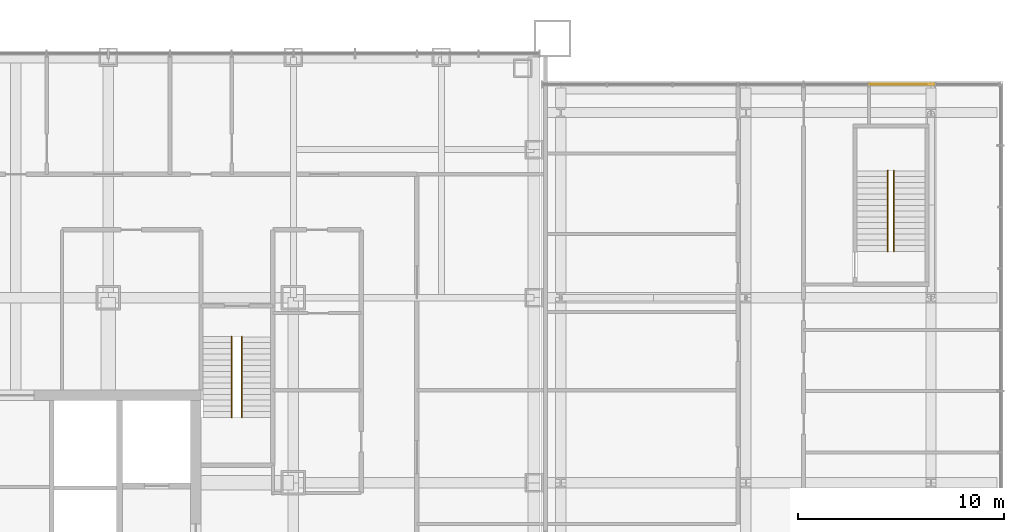
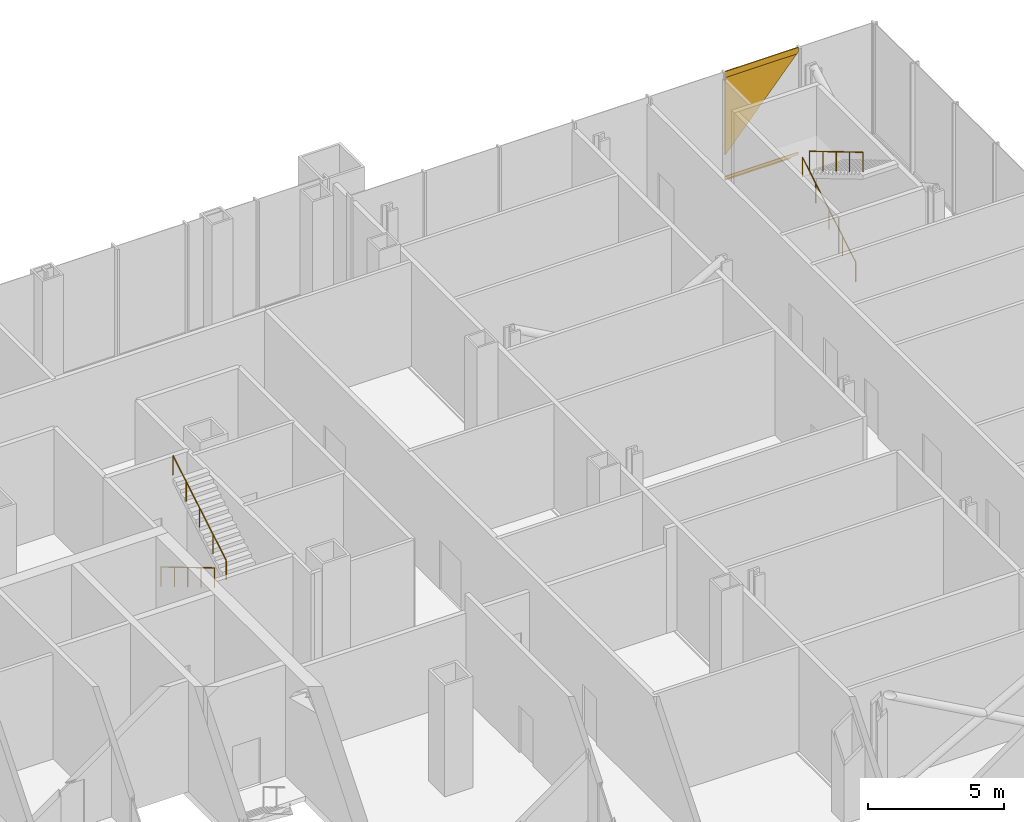
# One storey, part 23 of 25: 4 coverings, 4 railings.
"""IFC4 building model written with IfcOpenShell, lengths in metres."""

from ifc_helpers import new_model, si_unit, direction, frame, origin, origin_2d, place, context, subcontext, project, spatial, polyline, circle, outline, extrude, material, layer, layer_set, type_object, element, save


model = new_model("IFC4")

# Units and contexts
model_context = context("Model", 3, precision=1e-05, world=origin(), true_north=direction((0.0, 1.0)))
body_context = subcontext(model_context, "Body", "Model", "MODEL_VIEW")
ifc_project = project(units=[si_unit("LENGTHUNIT", "METRE"), si_unit("AREAUNIT", "SQUARE_METRE"), si_unit("VOLUMEUNIT", "CUBIC_METRE"), si_unit("PLANEANGLEUNIT", "RADIAN"), si_unit("MASSUNIT", "GRAM", prefix="KILO")], contexts=[model_context])

# Site, building, storey
site_placement = place(None, origin())
site = spatial("IfcSite", under=ifc_project, at=site_placement, CompositionType="ELEMENT")
building_placement = place(site_placement, origin())
building = spatial("IfcBuilding", under=site, at=building_placement, Name="Malebo Sky Hospital", CompositionType="ELEMENT")
storey_placement = place(building_placement, frame((0.0, 0.0, 6.0)))
storey = spatial("IfcBuildingStorey", under=building, at=storey_placement, Name="L01", CompositionType="ELEMENT", Elevation=6.0)

# Coverings
ifc_material_1 = material(Name="Anodised aluminium, natural silver insulated infill panel", Category="aluminium")
ifc_layer = layer(ifc_material_1, 0.0400390625)
ifc_layer_set = layer_set([ifc_layer], Name="BRACE INFILL PANEL 40")
covering_type = type_object("IfcCoveringType", Name="BRACE INFILL PANEL 40", PredefinedType="CLADDING", material=ifc_layer_set)
covering_1_placement = place(storey_placement, frame((103.05615234375, 85.875, 1.23681640625), z_axis=(0.0, 0.0, 1.0), x_axis=(-1.0, 0.0, 0.0)))
element("IfcCovering", 1, at=covering_1_placement, inside=storey, type_object=covering_type, Name="Brace infill panel 2.1", PredefinedType="CLADDING", context=body_context, shape_type="SweptSolid", body=[
    extrude(outline(polyline([(1.5224609375, 0.0), (1.5224609375, 3.483154296875), (-1.5224609375, 3.483154296875), (1.5224609375, 0.0)])), frame((0.0, 0.02001953125, 0.0), z_axis=(0.0, -1.0, 0.0), x_axis=(1.0, 0.0, 0.0)), (0.0, 0.0, 1.0), 0.0400390625),
])
covering_2_placement = place(storey_placement, frame((102.92333984375, 85.875, 0.10009765625), z_axis=(0.0, 0.0, 1.0), x_axis=(-1.0, 0.0, 0.0)))
element("IfcCovering", 2, at=covering_2_placement, inside=storey, type_object=covering_type, Name="Brace infill panel 2.3", PredefinedType="CLADDING", context=body_context, shape_type="SweptSolid", body=[
    extrude(outline(polyline([(-1.389404296875, 0.0), (1.389404296875, 0.0), (1.389404296875, 0.060302734375), (-1.389404296875, 0.060302734375), (-1.389404296875, 0.0)])), frame((0.0, 0.02001953125, 0.0), z_axis=(0.0, -1.0, 0.0), x_axis=(1.0, 0.0, 0.0)), (0.0, 0.0, 1.0), 0.0400390625),
])
covering_3_placement = place(storey_placement, frame((103.091064453125, 85.875, 0.16015625), z_axis=(0.0, 0.0, 1.0), x_axis=(-1.0, 0.0, 0.0)))
element("IfcCovering", 3, at=covering_3_placement, inside=storey, type_object=covering_type, Name="Brace infill panel 2.4", PredefinedType="CLADDING", context=body_context, shape_type="SweptSolid", body=[
    extrude(outline(polyline([(-1.55712890625, 0.0), (1.55712890625, 0.0), (1.55712890625, 0.119873046875), (-1.55712890625, 0.119873046875), (-1.55712890625, 0.0)])), frame((0.0, 0.02001953125, 0.0), z_axis=(0.0, -1.0, 0.0), x_axis=(1.0, 0.0, 0.0)), (0.0, 0.0, 1.0), 0.0400390625),
])
covering_4_placement = place(storey_placement, frame((103.091064453125, 85.875, 4.7197265625), z_axis=(0.0, 0.0, 1.0), x_axis=(-1.0, 0.0, 0.0)))
element("IfcCovering", 4, at=covering_4_placement, inside=storey, type_object=covering_type, Name="Brace infill panel 2.5", PredefinedType="CLADDING", context=body_context, shape_type="SweptSolid", body=[
    extrude(outline(polyline([(-1.487548828125, 0.0), (1.55712890625, 0.0), (1.55712890625, 0.270263671875), (-1.55712890625, 0.270263671875), (-1.55712890625, 0.07958984375), (-1.487548828125, 0.0)])), frame((0.0, 0.02001953125, 0.0), z_axis=(0.0, -1.0, 0.0), x_axis=(1.0, 0.0, 0.0)), (0.0, 0.0, 1.0), 0.0400390625),
])

# Railings
ifc_material_2 = material(Name="Stainless steel tube", Category="steel")
railing_type = type_object("IfcRailingType", Name="STAIR HANDRAIL 900", PredefinedType="HANDRAIL", material=ifc_material_2)
railing_1_placement = place(storey_placement, frame((70.5, 73.60009765625, 0.166748046875)))
element("IfcRailing", 5, at=railing_1_placement, inside=storey, type_object=railing_type, Name="Stair handrail S3 flight 1", PredefinedType="HANDRAIL", context=body_context, shape_type="SweptSolid", body=[
    extrude(circle(Radius=0.02392578125, at=origin_2d()), frame((0.0, 0.0, 0.8759765625), z_axis=(0.0, -0.859310244771, 0.511454693235), x_axis=(1.0, 0.0, 0.0)), (0.0, 0.0, 1.0), 4.56201171875),
    extrude(circle(Radius=0.02099609375, at=origin_2d()), origin(), (0.0, 0.0, 1.0), 0.851806640625),
    extrude(circle(Radius=0.02099609375, at=origin_2d()), frame((0.0, -0.97998046875, 0.583251953125)), (0.0, 0.0, 1.0), 0.851806640625),
    extrude(circle(Radius=0.02099609375, at=origin_2d()), frame((0.0, -1.9599609375, 1.16650390625)), (0.0, 0.0, 1.0), 0.851806640625),
    extrude(circle(Radius=0.02099609375, at=origin_2d()), frame((0.0, -2.940185546875, 1.75)), (0.0, 0.0, 1.0), 0.851806640625),
    extrude(circle(Radius=0.02099609375, at=origin_2d()), frame((0.0, -3.920166015625, 2.333251953125)), (0.0, 0.0, 1.0), 0.851806640625),
])
railing_2_placement = place(storey_placement, frame((71.0, 69.679931640625, 2.666748046875)))
element("IfcRailing", 6, at=railing_2_placement, inside=storey, type_object=railing_type, Name="Stair handrail S3 flight 2", PredefinedType="HANDRAIL", context=body_context, shape_type="SweptSolid", body=[
    extrude(circle(Radius=0.02392578125, at=origin_2d()), frame((0.0, 0.0, 0.8759765625), z_axis=(0.0, 0.859310244771, 0.511454693235), x_axis=(-1.0, 0.0, 0.0)), (0.0, 0.0, 1.0), 4.56201171875),
    extrude(circle(Radius=0.02099609375, at=origin_2d()), origin(), (0.0, 0.0, 1.0), 0.851806640625),
    extrude(circle(Radius=0.02099609375, at=origin_2d()), frame((0.0, 0.97998046875, 0.583251953125)), (0.0, 0.0, 1.0), 0.851806640625),
    extrude(circle(Radius=0.02099609375, at=origin_2d()), frame((0.0, 1.9599609375, 1.16650390625)), (0.0, 0.0, 1.0), 0.851806640625),
    extrude(circle(Radius=0.02099609375, at=origin_2d()), frame((0.0, 2.940185546875, 1.75)), (0.0, 0.0, 1.0), 0.851806640625),
    extrude(circle(Radius=0.02099609375, at=origin_2d()), frame((0.0, 3.920166015625, 2.333251953125)), (0.0, 0.0, 1.0), 0.851806640625),
])
railing_3_placement = place(storey_placement, frame((102.39990234375, 77.75, 0.166748046875)))
element("IfcRailing", 7, at=railing_3_placement, inside=storey, type_object=railing_type, Name="Stair handrail ES flight 1", PredefinedType="HANDRAIL", context=body_context, shape_type="SweptSolid", body=[
    extrude(circle(Radius=0.02392578125, at=origin_2d()), frame((0.0, 0.0, 0.8759765625), z_axis=(0.0, 0.859296244711, 0.511478214419), x_axis=(-1.0, 0.0, 0.0)), (0.0, 0.0, 1.0), 4.561767578125),
    extrude(circle(Radius=0.02099609375, at=origin_2d()), origin(), (0.0, 0.0, 1.0), 0.851806640625),
    extrude(circle(Radius=0.02099609375, at=origin_2d()), frame((0.0, 0.97998046875, 0.583251953125)), (0.0, 0.0, 1.0), 0.851806640625),
    extrude(circle(Radius=0.02099609375, at=origin_2d()), frame((0.0, 1.9599609375, 1.16650390625)), (0.0, 0.0, 1.0), 0.851806640625),
    extrude(circle(Radius=0.02099609375, at=origin_2d()), frame((0.0, 2.93994140625, 1.75)), (0.0, 0.0, 1.0), 0.851806640625),
    extrude(circle(Radius=0.02099609375, at=origin_2d()), frame((0.0, 3.919921875, 2.333251953125)), (0.0, 0.0, 1.0), 0.851806640625),
])
railing_4_placement = place(storey_placement, frame((102.699951171875, 81.669921875, 2.666748046875)))
element("IfcRailing", 8, at=railing_4_placement, inside=storey, type_object=railing_type, Name="Stair handrail ES flight 2", PredefinedType="HANDRAIL", context=body_context, shape_type="SweptSolid", body=[
    extrude(circle(Radius=0.02392578125, at=origin_2d()), frame((0.0, 0.0, 0.8759765625), z_axis=(0.0, -0.859296244711, 0.511478214419), x_axis=(1.0, 0.0, 0.0)), (0.0, 0.0, 1.0), 4.561767578125),
    extrude(circle(Radius=0.02099609375, at=origin_2d()), origin(), (0.0, 0.0, 1.0), 0.851806640625),
    extrude(circle(Radius=0.02099609375, at=origin_2d()), frame((0.0, -0.97998046875, 0.583251953125)), (0.0, 0.0, 1.0), 0.851806640625),
    extrude(circle(Radius=0.02099609375, at=origin_2d()), frame((0.0, -1.9599609375, 1.16650390625)), (0.0, 0.0, 1.0), 0.851806640625),
    extrude(circle(Radius=0.02099609375, at=origin_2d()), frame((0.0, -2.93994140625, 1.75)), (0.0, 0.0, 1.0), 0.851806640625),
    extrude(circle(Radius=0.02099609375, at=origin_2d()), frame((0.0, -3.919921875, 2.333251953125)), (0.0, 0.0, 1.0), 0.851806640625),
])

save(model, "model.ifc")
